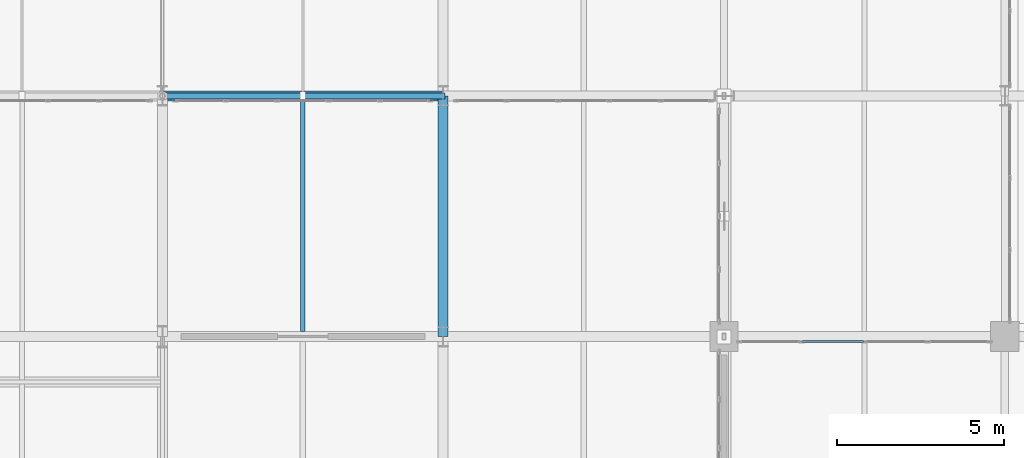
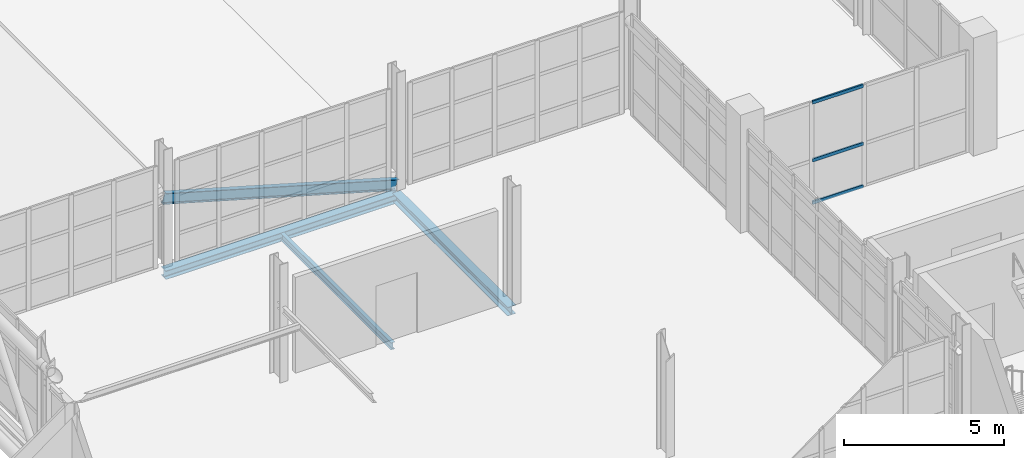
# One storey, part 22 of 130: 4 beams, 3 members, 1 element without a shape of its own.
"""IFC4 building model written with IfcOpenShell, lengths in metres."""

from ifc_helpers import new_model, si_unit, direction, frame, origin, origin_2d, place, context, subcontext, project, spatial, hollow_rectangle, i_section, extrude, material, material_profile, profile_set, type_object, element, aggregate, save


model = new_model("IFC4")

# Units and contexts
model_context = context("Model", 3, precision=1e-05, world=origin(), true_north=direction((0.0, 1.0)))
body_context = subcontext(model_context, "Body", "Model", "MODEL_VIEW")
ifc_project = project(units=[si_unit("LENGTHUNIT", "METRE"), si_unit("AREAUNIT", "SQUARE_METRE"), si_unit("VOLUMEUNIT", "CUBIC_METRE"), si_unit("PLANEANGLEUNIT", "RADIAN"), si_unit("MASSUNIT", "GRAM", prefix="KILO")], contexts=[model_context])

# Site, building, storey
site_placement = place(None, origin())
site = spatial("IfcSite", under=ifc_project, at=site_placement, CompositionType="ELEMENT")
building_placement = place(site_placement, origin())
building = spatial("IfcBuilding", under=site, at=building_placement, Name="Veltarok Museum of Natural Sciences", CompositionType="ELEMENT")
storey_placement = place(building_placement, frame((0.0, 0.0, 12.89990234375)))
storey = spatial("IfcBuildingStorey", under=building, at=storey_placement, Name="L02", CompositionType="ELEMENT", Elevation=12.89990234375)

# Curtain wall, members
ifc_material_1 = material(Name="Low-iron triple insulated glass", Category="glass")
curtain_wall_type = type_object("IfcCurtainWallType", Name="Curtain Wall System CW-V1CNW-L02-0-755x388 (CW-V1CNW L02 755x388cm)", PredefinedType="NOTDEFINED", material=ifc_material_1)
curtain_wall_placement = place(storey_placement, origin())
curtain_wall = element("IfcCurtainWall", 1, at=curtain_wall_placement, inside=storey, type_object=curtain_wall_type, Name="Curtain Wall CW-V1CNW-L02-0-755x388 CW-0160", PredefinedType="NOTDEFINED")
ifc_material_2 = material(Name="Thermally broken anodised aluminium", Category="aluminium")
ifc_material_profile_1 = material_profile(ifc_material_2, hollow_rectangle(XDim=0.06005859375, YDim=0.1201171875, WallThickness=0.0048828125, at=origin_2d()), Name="CW TRANSOM 60x120x5")
ifc_profile_set_1 = profile_set([ifc_material_profile_1], Name="Thermally broken anodised aluminium")
member_type = type_object("IfcMemberType", Name="Curtain Wall Horizontal Transom 60x120x5", PredefinedType="USERDEFINED", material=ifc_profile_set_1)
member_1_placement = place(storey_placement, frame((35.77001953125, 19.050048828125, 0.028076171875), z_axis=(-1.0, 0.0, 0.0), x_axis=(0.0, -1.0, 0.0)))
member_1 = element("IfcMember", 2, at=member_1_placement, type_object=member_type, Name="CW-V1CNW-L02-0-755x388 transom 3.1", ObjectType="TRANSOM", PredefinedType="USERDEFINED", context=body_context, shape_type="SweptSolid", body=[
    extrude(hollow_rectangle(XDim=0.06005859375, YDim=0.1201171875, WallThickness=0.0048828125, at=origin_2d()), origin(), (0.0, 0.0, 1.0), 1.82763671875),
])
member_2_placement = place(storey_placement, frame((35.77001953125, 19.050048828125, 1.648193359375), z_axis=(-1.0, 0.0, 0.0), x_axis=(0.0, -1.0, 0.0)))
member_2 = element("IfcMember", 3, at=member_2_placement, type_object=member_type, Name="CW-V1CNW-L02-0-755x388 transom 3.2", ObjectType="TRANSOM", PredefinedType="USERDEFINED", context=body_context, shape_type="SweptSolid", body=[
    extrude(hollow_rectangle(XDim=0.06005859375, YDim=0.1201171875, WallThickness=0.0048828125, at=origin_2d()), origin(), (0.0, 0.0, 1.0), 1.82763671875),
])
member_3_placement = place(storey_placement, frame((35.77001953125, 19.050048828125, 3.85009765625), z_axis=(-1.0, 0.0, 0.0), x_axis=(0.0, -1.0, 0.0)))
member_3 = element("IfcMember", 4, at=member_3_placement, type_object=member_type, Name="CW-V1CNW-L02-0-755x388 transom 3.3", ObjectType="TRANSOM", PredefinedType="USERDEFINED", context=body_context, shape_type="SweptSolid", body=[
    extrude(hollow_rectangle(XDim=0.06005859375, YDim=0.1201171875, WallThickness=0.0048828125, at=origin_2d()), origin(), (0.0, 0.0, 1.0), 1.82763671875),
])
aggregate(curtain_wall, [member_1, member_2, member_3])

# Beams
ifc_material_3 = material(Name="Steel S355J2", Category="steel")
ifc_material_profile_2 = material_profile(ifc_material_3, i_section(OverallWidth=0.300048828125, OverallDepth=0.330078125, WebThickness=0.009521484375, FlangeThickness=0.0166015625, FilletRadius=0.027099609375, at=origin_2d()), Name="HEA 340")
ifc_profile_set_2 = profile_set([ifc_material_profile_2], Name="Steel S355J2")
beam_type_1 = type_object("IfcBeamType", Name="Perimeter Upper Spandrel HEA 340", PredefinedType="SPANDREL", material=ifc_profile_set_2)
beam_1_placement = place(storey_placement, frame((14.800048828125, 26.39990234375, -0.414794921875), z_axis=(1.0, 0.0, 0.0), x_axis=(0.0, 1.0, 0.0)))
element("IfcBeam", 5, at=beam_1_placement, inside=storey, type_object=beam_type_1, Name="Beam BM-SP05 L02 2-3/D", PredefinedType="SPANDREL", context=body_context, shape_type="SweptSolid", body=[
    extrude(i_section(OverallWidth=0.300048828125, OverallDepth=0.330078125, WebThickness=0.009521484375, FlangeThickness=0.0166015625, FilletRadius=0.027099609375, at=origin_2d()), origin(), (0.0, 0.0, 1.0), 8.39990234375),
])
beam_2_placement = place(storey_placement, frame((23.199951171875, 19.199951171875, -0.414794921875), z_axis=(0.0, 1.0, 0.0), x_axis=(-1.0, 0.0, 0.0)))
element("IfcBeam", 6, at=beam_2_placement, inside=storey, type_object=beam_type_1, Name="Beam BM-SP05 L02 3/C-D", PredefinedType="SPANDREL", context=body_context, shape_type="SweptSolid", body=[
    extrude(i_section(OverallWidth=0.300048828125, OverallDepth=0.330078125, WebThickness=0.009521484375, FlangeThickness=0.0166015625, FilletRadius=0.027099609375, at=origin_2d()), origin(), (0.0, 0.0, 1.0), 7.199951171875),
])
ifc_material_profile_3 = material_profile(ifc_material_3, i_section(OverallWidth=0.179931640625, OverallDepth=0.39990234375, WebThickness=0.008544921875, FlangeThickness=0.013427734375, FilletRadius=0.02099609375, at=origin_2d()), Name="IPE 400")
ifc_profile_set_3 = profile_set([ifc_material_profile_3], Name="Steel S355J2")
beam_type_2 = type_object("IfcBeamType", Name="Sawtooth and Folded Roof Rafter IPE 400", PredefinedType="BEAM", material=ifc_profile_set_3)
beam_3_placement = place(storey_placement, frame((14.800048828125, 26.39990234375, 2.461181640625), z_axis=(0.961222911009, 0.0, -0.275772579043), x_axis=(0.0, 1.0, 0.0)))
element("IfcBeam", 7, at=beam_3_placement, inside=storey, type_object=beam_type_2, Name="Auditorium Roof Rafter Y=26.4 2", PredefinedType="BEAM", context=body_context, shape_type="SweptSolid", body=[
    extrude(i_section(OverallWidth=0.179931640625, OverallDepth=0.39990234375, WebThickness=0.008544921875, FlangeThickness=0.013427734375, FilletRadius=0.02099609375, at=origin_2d()), origin(), (0.0, 0.0, 1.0), 8.73876953125),
])
ifc_material_profile_4 = material_profile(ifc_material_3, i_section(OverallWidth=0.135009765625, OverallDepth=0.27001953125, WebThickness=0.006591796875, FlangeThickness=0.01025390625, FilletRadius=0.014892578125, at=origin_2d()), Name="IPE 270")
ifc_profile_set_4 = profile_set([ifc_material_profile_4], Name="Steel S355J2")
beam_type_3 = type_object("IfcBeamType", Name="Short-Bay Composite Joist IPE 270", PredefinedType="JOIST", material=ifc_profile_set_4)
beam_4_placement = place(storey_placement, frame((19.0, 19.347900390625, -0.385009765625), z_axis=(0.0, 1.0, 0.0), x_axis=(-1.0, 0.0, 0.0)))
element("IfcBeam", 8, at=beam_4_placement, inside=storey, type_object=beam_type_3, Name="Secondary Joist BM-J04 L02 2-3/C-D.1", PredefinedType="JOIST", context=body_context, shape_type="SweptSolid", body=[
    extrude(i_section(OverallWidth=0.135009765625, OverallDepth=0.27001953125, WebThickness=0.006591796875, FlangeThickness=0.01025390625, FilletRadius=0.014892578125, at=origin_2d()), origin(), (0.0, 0.0, 1.0), 6.904052734375),
])

save(model, "model.ifc")
